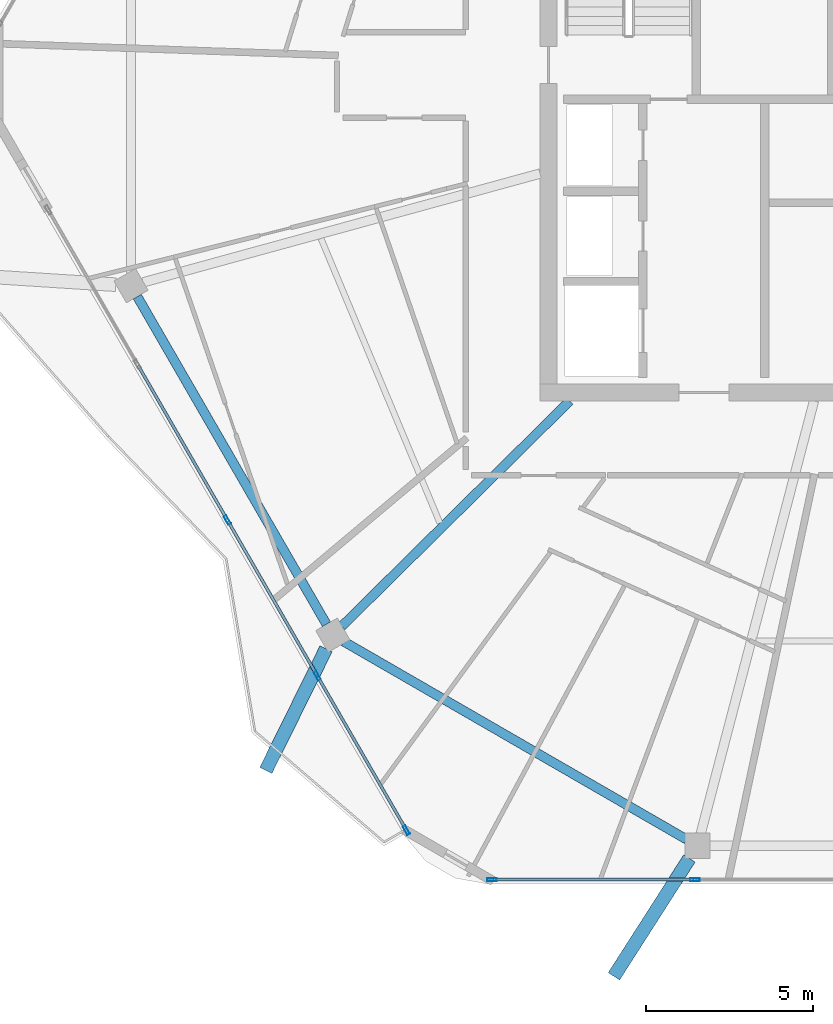
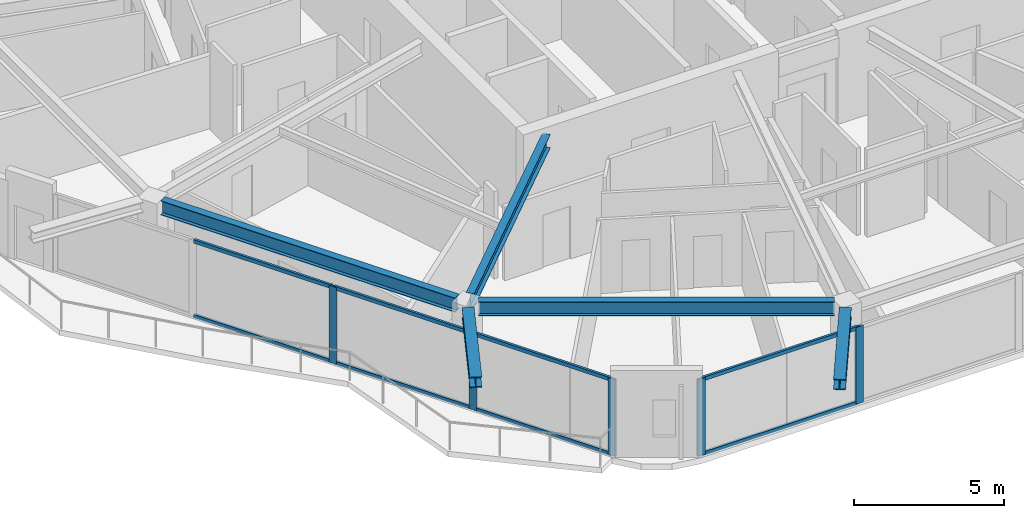
# One storey, part 2 of 18: 13 members, 5 beams, 2 elements without a shape of their own.
"""IFC4 building model written with IfcOpenShell, lengths in metres."""

from ifc_helpers import new_model, si_unit, direction, frame, origin, origin_2d, place, context, subcontext, project, spatial, hollow_rectangle, i_section, extrude, material, material_profile, profile_set, type_object, element, aggregate, save


model = new_model("IFC4")

# Units and contexts
model_context = context("Model", 3, precision=1e-05, world=origin(), true_north=direction((0.0, 1.0)))
body_context = subcontext(model_context, "Body", "Model", "MODEL_VIEW")
ifc_project = project(units=[si_unit("LENGTHUNIT", "METRE"), si_unit("AREAUNIT", "SQUARE_METRE"), si_unit("VOLUMEUNIT", "CUBIC_METRE"), si_unit("PLANEANGLEUNIT", "RADIAN"), si_unit("MASSUNIT", "GRAM", prefix="KILO")], contexts=[model_context])

# Site, building, storey
site_placement = place(None, origin())
site = spatial("IfcSite", under=ifc_project, at=site_placement, CompositionType="ELEMENT")
building_placement = place(site_placement, origin())
building = spatial("IfcBuilding", under=site, at=building_placement, Name="Zuhravey Tower", CompositionType="ELEMENT")
storey_placement = place(building_placement, frame((0.0, 0.0, 342.39990234375)))
storey = spatial("IfcBuildingStorey", under=building, at=storey_placement, Name="L87", CompositionType="ELEMENT", Elevation=342.39990234375)

# Curtain wall, members
ifc_material_1 = material(Name="Thermally broken anodised aluminium", Category="aluminium")
curtain_wall_type = type_object("IfcCurtainWallType", Name="Zone 3-4 High-Rise Curtain Wall CW4", PredefinedType="NOTDEFINED", material=ifc_material_1)
curtain_wall_1_placement = place(storey_placement, origin())
curtain_wall_1 = element("IfcCurtainWall", 1, at=curtain_wall_1_placement, inside=storey, type_object=curtain_wall_type, Name="L87 CW4 CW-L87-F5-1", PredefinedType="NOTDEFINED")
ifc_material_2 = material(Name="Anodised aluminium", Category="aluminium")
ifc_material_profile_1 = material_profile(ifc_material_2, hollow_rectangle(XDim=0.090087890625, YDim=0.284912109375, WallThickness=0.0048828125, at=origin_2d()), Name="ALU-RHS-90x285x5")
ifc_profile_set_1 = profile_set([ifc_material_profile_1], Name="Anodised aluminium")
member_type_1 = type_object("IfcMemberType", Name="Curtain-Wall Mullion 90x180", PredefinedType="MULLION", material=ifc_profile_set_1)
member_1_placement = place(storey_placement, frame((29.88037109375, 7.92578125, 0.0), z_axis=(0.0, 0.0, 1.0), x_axis=(0.0, -1.0, 0.0)))
member_1 = element("IfcMember", 2, at=member_1_placement, type_object=member_type_1, Name="CW4 mullion 4", PredefinedType="MULLION", context=body_context, shape_type="SweptSolid", body=[
    extrude(hollow_rectangle(XDim=0.090087890625, YDim=0.284912109375, WallThickness=0.0048828125, at=origin_2d()), origin(), (0.0, 0.0, 1.0), 3.1220703125),
])
member_2_placement = place(storey_placement, frame((23.8056640625, 7.92578125, 0.0), z_axis=(0.0, 0.0, 1.0), x_axis=(0.0, -1.0, 0.0)))
member_2 = element("IfcMember", 3, at=member_2_placement, type_object=member_type_1, Name="CW4 mullion 5", PredefinedType="MULLION", context=body_context, shape_type="SweptSolid", body=[
    extrude(hollow_rectangle(XDim=0.090087890625, YDim=0.284912109375, WallThickness=0.0048828125, at=origin_2d()), origin(), (0.0, 0.0, 1.0), 3.1220703125),
])

curtain_wall_2_placement = place(storey_placement, origin())
curtain_wall_2 = element("IfcCurtainWall", 4, at=curtain_wall_2_placement, inside=storey, type_object=curtain_wall_type, Name="L87 CW4 CW-L87-F4-1", PredefinedType="NOTDEFINED")
member_3_placement = place(storey_placement, frame((21.248291015625, 9.40234375, 0.0), z_axis=(0.0, 0.0, 1.0), x_axis=(-0.866025896421, -0.499999146728, 0.0)))
member_3 = element("IfcMember", 5, at=member_3_placement, type_object=member_type_1, Name="CW4 mullion 1", PredefinedType="MULLION", context=body_context, shape_type="SweptSolid", body=[
    extrude(hollow_rectangle(XDim=0.090087890625, YDim=0.284912109375, WallThickness=0.0048828125, at=origin_2d()), origin(), (0.0, 0.0, 1.0), 3.1220703125),
])
member_4_placement = place(storey_placement, frame((18.580322265625, 14.0234375, 0.0), z_axis=(0.0, 0.0, 1.0), x_axis=(-0.866025896421, -0.499999146728, 0.0)))
member_4 = element("IfcMember", 6, at=member_4_placement, type_object=member_type_1, Name="CW4 mullion 2", PredefinedType="MULLION", context=body_context, shape_type="SweptSolid", body=[
    extrude(hollow_rectangle(XDim=0.090087890625, YDim=0.284912109375, WallThickness=0.0048828125, at=origin_2d()), origin(), (0.0, 0.0, 1.0), 3.1220703125),
])
member_5_placement = place(storey_placement, frame((15.889892578125, 18.68359375, 0.0), z_axis=(0.0, 0.0, 1.0), x_axis=(-0.866025896421, -0.499999146728, 0.0)))
member_5 = element("IfcMember", 7, at=member_5_placement, type_object=member_type_1, Name="CW4 mullion 3", PredefinedType="MULLION", context=body_context, shape_type="SweptSolid", body=[
    extrude(hollow_rectangle(XDim=0.090087890625, YDim=0.284912109375, WallThickness=0.0048828125, at=origin_2d()), origin(), (0.0, 0.0, 1.0), 3.1220703125),
])

# Member
ifc_material_profile_2 = material_profile(ifc_material_2, hollow_rectangle(XDim=0.090087890625, YDim=0.14990234375, WallThickness=0.0048828125, at=origin_2d()), Name="ALU-RHS-90x150x5")
ifc_profile_set_2 = profile_set([ifc_material_profile_2], Name="Anodised aluminium")
member_type_2 = type_object("IfcMemberType", Name="Curtain-Wall Transom 90x150", PredefinedType="USERDEFINED", material=ifc_profile_set_2)
member_6_placement = place(storey_placement, frame((29.83544921875, 7.92578125, 0.045166015625), z_axis=(-1.0, 0.0, 0.0), x_axis=(0.0, -1.0, 0.0)))
member_6 = element("IfcMember", 8, at=member_6_placement, type_object=member_type_2, Name="CW4 transom 4.1", ObjectType="TRANSOM", PredefinedType="USERDEFINED", context=body_context, shape_type="SweptSolid", body=[
    extrude(hollow_rectangle(XDim=0.090087890625, YDim=0.14990234375, WallThickness=0.0048828125, at=origin_2d()), origin(), (0.0, 0.0, 1.0), 5.98486328125),
])

member_7_placement = place(storey_placement, frame((29.83544921875, 7.92578125, 3.0771484375), z_axis=(-1.0, 0.0, 0.0), x_axis=(0.0, -1.0, 0.0)))
member_7 = element("IfcMember", 9, at=member_7_placement, type_object=member_type_2, Name="CW4 transom 4.2", ObjectType="TRANSOM", PredefinedType="USERDEFINED", context=body_context, shape_type="SweptSolid", body=[
    extrude(hollow_rectangle(XDim=0.090087890625, YDim=0.14990234375, WallThickness=0.0048828125, at=origin_2d()), origin(), (0.0, 0.0, 1.0), 5.98486328125),
])

aggregate(curtain_wall_1, [member_1, member_2, member_6, member_7])

member_8_placement = place(storey_placement, frame((21.225830078125, 9.44140625, 0.045166015625), z_axis=(-0.499988348136, 0.866032130887, 0.0), x_axis=(-0.866032130887, -0.499988348136, 0.0)))
member_8 = element("IfcMember", 10, at=member_8_placement, type_object=member_type_2, Name="CW4 transom 1.1", ObjectType="TRANSOM", PredefinedType="USERDEFINED", context=body_context, shape_type="SweptSolid", body=[
    extrude(hollow_rectangle(XDim=0.090087890625, YDim=0.14990234375, WallThickness=0.0048828125, at=origin_2d()), origin(), (0.0, 0.0, 1.0), 5.245849609375),
])

member_9_placement = place(storey_placement, frame((21.225830078125, 9.44140625, 3.0771484375), z_axis=(-0.499988348136, 0.866032130887, 0.0), x_axis=(-0.866032130887, -0.499988348136, 0.0)))
member_9 = element("IfcMember", 11, at=member_9_placement, type_object=member_type_2, Name="CW4 transom 1.2", ObjectType="TRANSOM", PredefinedType="USERDEFINED", context=body_context, shape_type="SweptSolid", body=[
    extrude(hollow_rectangle(XDim=0.090087890625, YDim=0.14990234375, WallThickness=0.0048828125, at=origin_2d()), origin(), (0.0, 0.0, 1.0), 5.245849609375),
])

member_10_placement = place(storey_placement, frame((18.557861328125, 14.0625, 0.045166015625), z_axis=(-0.500010041276, 0.866019606374, 0.0), x_axis=(-0.866019606374, -0.500010041276, 0.0)))
member_10 = element("IfcMember", 12, at=member_10_placement, type_object=member_type_2, Name="CW4 transom 2.1", ObjectType="TRANSOM", PredefinedType="USERDEFINED", context=body_context, shape_type="SweptSolid", body=[
    extrude(hollow_rectangle(XDim=0.090087890625, YDim=0.14990234375, WallThickness=0.0048828125, at=origin_2d()), origin(), (0.0, 0.0, 1.0), 5.291015625),
])

member_11_placement = place(storey_placement, frame((18.557861328125, 14.0625, 3.0771484375), z_axis=(-0.500010041276, 0.866019606374, 0.0), x_axis=(-0.866019606374, -0.500010041276, 0.0)))
member_11 = element("IfcMember", 13, at=member_11_placement, type_object=member_type_2, Name="CW4 transom 2.2", ObjectType="TRANSOM", PredefinedType="USERDEFINED", context=body_context, shape_type="SweptSolid", body=[
    extrude(hollow_rectangle(XDim=0.090087890625, YDim=0.14990234375, WallThickness=0.0048828125, at=origin_2d()), origin(), (0.0, 0.0, 1.0), 5.291015625),
])

member_12_placement = place(storey_placement, frame((15.867431640625, 18.722412109375, 0.045166015625), z_axis=(-0.499990060989, 0.866031141999, 0.0), x_axis=(-0.866031141999, -0.499990060989, 0.0)))
member_12 = element("IfcMember", 14, at=member_12_placement, type_object=member_type_2, Name="CW4 transom 3.1", ObjectType="TRANSOM", PredefinedType="USERDEFINED", context=body_context, shape_type="SweptSolid", body=[
    extrude(hollow_rectangle(XDim=0.090087890625, YDim=0.14990234375, WallThickness=0.0048828125, at=origin_2d()), origin(), (0.0, 0.0, 1.0), 5.291015625),
])

member_13_placement = place(storey_placement, frame((15.867431640625, 18.722412109375, 3.0771484375), z_axis=(-0.499990060989, 0.866031141999, 0.0), x_axis=(-0.866031141999, -0.499990060989, 0.0)))
member_13 = element("IfcMember", 15, at=member_13_placement, type_object=member_type_2, Name="CW4 transom 3.2", ObjectType="TRANSOM", PredefinedType="USERDEFINED", context=body_context, shape_type="SweptSolid", body=[
    extrude(hollow_rectangle(XDim=0.090087890625, YDim=0.14990234375, WallThickness=0.0048828125, at=origin_2d()), origin(), (0.0, 0.0, 1.0), 5.291015625),
])

aggregate(curtain_wall_2, [member_3, member_4, member_5, member_8, member_9, member_10, member_11, member_12, member_13])

# Beams
ifc_material_3 = material(Name="Steel SM460", Category="steel")
ifc_material_profile_3 = material_profile(ifc_material_3, i_section(OverallWidth=0.406982421875, OverallDepth=0.427978515625, WebThickness=0.02001953125, FlangeThickness=0.034912109375, at=origin_2d()), Name="H-428x407x20x35")
ifc_profile_set_3 = profile_set([ifc_material_profile_3], Name="Steel SM460")
beam_type_1 = type_object("IfcBeamType", Name="Exoskeleton Node Tie Beam H428x407", PredefinedType="BEAM", material=ifc_profile_set_3)
beam_1_placement = place(storey_placement, frame((18.84375, 14.830810546875, 3.336181640625), z_axis=(-0.443674177623, -0.89618816334, 0.0), x_axis=(0.89618816334, -0.443674177623, 0.0)))
element("IfcBeam", 16, at=beam_1_placement, inside=storey, type_object=beam_type_1, Name="L87 Exoskeleton Node Tie NT1-08", PredefinedType="BEAM", context=body_context, shape_type="SweptSolid", body=[
    extrude(i_section(OverallWidth=0.406982421875, OverallDepth=0.427978515625, WebThickness=0.02001953125, FlangeThickness=0.034912109375, at=origin_2d()), origin(), (0.0, 0.0, 1.0), 4.059814453125),
])
beam_2_placement = place(storey_placement, frame((29.718994140625, 8.5576171875, 3.336181640625), z_axis=(-0.539376005889, -0.842065035654, 0.0), x_axis=(0.842065035654, -0.539376005889, 0.0)))
element("IfcBeam", 17, at=beam_2_placement, inside=storey, type_object=beam_type_1, Name="L87 Exoskeleton Node Tie NT1-09", PredefinedType="BEAM", context=body_context, shape_type="SweptSolid", body=[
    extrude(i_section(OverallWidth=0.406982421875, OverallDepth=0.427978515625, WebThickness=0.02001953125, FlangeThickness=0.034912109375, at=origin_2d()), origin(), (0.0, 0.0, 1.0), 4.19091796875),
])
ifc_material_4 = material(Name="Steel SM355", Category="steel")
ifc_material_profile_4 = material_profile(ifc_material_4, i_section(OverallWidth=0.280029296875, OverallDepth=0.580078125, WebThickness=0.011962890625, FlangeThickness=0.01904296875, at=origin_2d()), Name="H-580x280x12x19")
ifc_profile_set_4 = profile_set([ifc_material_profile_4], Name="Steel SM355")
beam_type_2 = type_object("IfcBeamType", Name="Perimeter Ring Beam H580x280", PredefinedType="BEAM", material=ifc_profile_set_4)
beam_3_placement = place(storey_placement, frame((13.195556640625, 25.370361328125, 3.260009765625), z_axis=(0.499993743963, -0.866029015679, 0.0), x_axis=(0.866029015679, 0.499993743963, 0.0)))
element("IfcBeam", 18, at=beam_3_placement, inside=storey, type_object=beam_type_2, Name="L87 PB4 BM-L87-PB-07", PredefinedType="BEAM", context=body_context, shape_type="SweptSolid", body=[
    extrude(i_section(OverallWidth=0.280029296875, OverallDepth=0.580078125, WebThickness=0.011962890625, FlangeThickness=0.01904296875, at=origin_2d()), origin(), (0.0, 0.0, 1.0), 11.321533203125),
])
beam_4_placement = place(storey_placement, frame((19.37255859375, 15.04931640625, 3.260009765625), z_axis=(0.866030838723, -0.499990586292, 0.0), x_axis=(0.499990586292, 0.866030838723, 0.0)))
element("IfcBeam", 19, at=beam_4_placement, inside=storey, type_object=beam_type_2, Name="L87 PB4 BM-L87-PB-08", PredefinedType="BEAM", context=body_context, shape_type="SweptSolid", body=[
    extrude(i_section(OverallWidth=0.280029296875, OverallDepth=0.580078125, WebThickness=0.011962890625, FlangeThickness=0.01904296875, at=origin_2d()), origin(), (0.0, 0.0, 1.0), 11.848876953125),
])
ifc_material_profile_5 = material_profile(ifc_material_4, i_section(OverallWidth=0.280029296875, OverallDepth=0.550048828125, WebThickness=0.010986328125, FlangeThickness=0.01806640625, at=origin_2d()), Name="H-550x280x11x18")
ifc_profile_set_5 = profile_set([ifc_material_profile_5], Name="Steel SM355")
beam_type_3 = type_object("IfcBeamType", Name="Radial Primary Girder H550x280", PredefinedType="BEAM", material=ifc_profile_set_5)
beam_5_placement = place(storey_placement, frame((26.134765625, 22.2470703125, 3.275146484375), z_axis=(-0.711142578304, -0.703047817238, 0.0), x_axis=(0.703047817238, -0.711142578304, 0.0)))
element("IfcBeam", 20, at=beam_5_placement, inside=storey, type_object=beam_type_3, Name="L87 RG4 BM-L87-RAD-08", PredefinedType="BEAM", context=body_context, shape_type="SweptSolid", body=[
    extrude(i_section(OverallWidth=0.280029296875, OverallDepth=0.550048828125, WebThickness=0.010986328125, FlangeThickness=0.01806640625, at=origin_2d()), origin(), (0.0, 0.0, 1.0), 9.591064453125),
])

save(model, "model.ifc")
